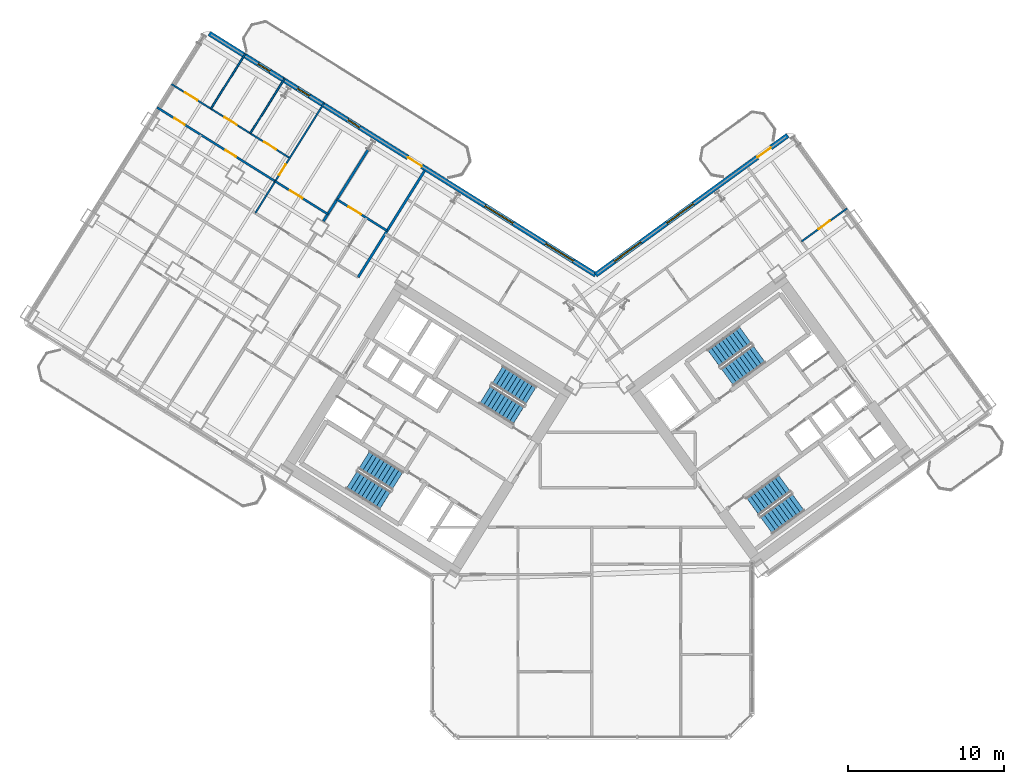
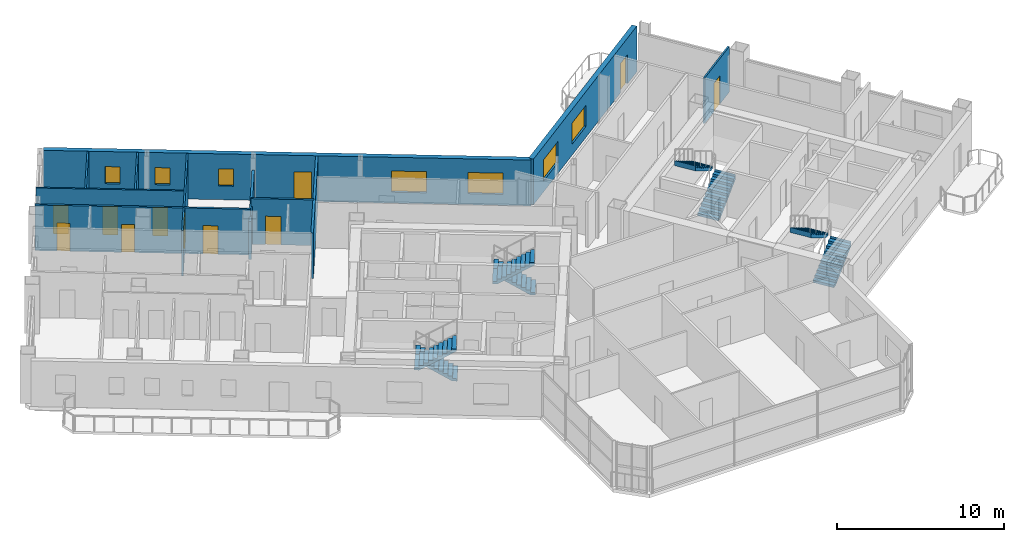
# One storey, part 16 of 21: 12 walls, 11 doors, 8 stair flights, 7 windows, 18 openings, 4 elements without a shape of their own.
"""IFC4 building model written with IfcOpenShell, lengths in metres."""

from ifc_helpers import new_model, si_unit, direction, frame, frame_2d, origin, place, context, subcontext, project, spatial, polyline, rectangle, outline, extrude, source, transform, mapped, material, layer, layer_set, type_object, element, fill, aggregate, save


model = new_model("IFC4")

# Units and contexts
model_context = context("Model", 3, precision=1e-05, world=origin(), true_north=direction((0.0, 1.0)))
body_context = subcontext(model_context, "Body", "Model", "MODEL_VIEW")
ifc_project = project(units=[si_unit("LENGTHUNIT", "METRE"), si_unit("AREAUNIT", "SQUARE_METRE"), si_unit("VOLUMEUNIT", "CUBIC_METRE"), si_unit("PLANEANGLEUNIT", "RADIAN"), si_unit("MASSUNIT", "GRAM", prefix="KILO")], contexts=[model_context])

# Site, building, storey
site_placement = place(None, origin())
site = spatial("IfcSite", under=ifc_project, at=site_placement, CompositionType="ELEMENT")
building_placement = place(site_placement, origin())
building = spatial("IfcBuilding", under=site, at=building_placement, Name="Tlacorven Tower", CompositionType="ELEMENT")
storey_placement = place(building_placement, frame((0.0, 0.0, 90.0)))
storey = spatial("IfcBuildingStorey", under=building, at=storey_placement, Name="L22", CompositionType="ELEMENT", Elevation=90.0)

# Walls
ifc_material_1 = material(Name="Gypsum plasterboard acoustic partition", Category="gypsum")
ifc_layer_1 = layer(ifc_material_1, 0.159912109375)
ifc_layer_set_1 = layer_set([ifc_layer_1], Name="Gypsum plasterboard acoustic partition")
wall_type_1 = type_object("IfcWallType", Name="WL-DEM-160", PredefinedType="PARTITIONING", material=ifc_layer_set_1)
wall_1_placement = place(storey_placement, frame((31.238525390625, 38.27392578125, 0.0), z_axis=(0.0, 0.0, 1.0), x_axis=(-0.529928058306, -0.848042600947, 0.0)))
element("IfcWall", 1, at=wall_1_placement, inside=storey, type_object=wall_type_1, Name="L22 partition 51", PredefinedType="PARTITIONING", context=body_context, shape_type="SweptSolid", body=[
    extrude(rectangle(XDim=8.0498046875, YDim=0.159912109375, at=frame_2d((4.02490234375, 0.0))), origin(), (0.0, 0.0, 1.0), 3.340087890625),
])
wall_2_placement = place(storey_placement, frame((27.607421875, 39.614990234375, 0.0), z_axis=(0.0, 0.0, 1.0), x_axis=(-0.529913610495, -0.848051628978, 0.0)))
element("IfcWall", 2, at=wall_2_placement, inside=storey, type_object=wall_type_1, Name="L22 WS Demising Wall 1", PredefinedType="PARTITIONING", context=body_context, shape_type="SweptSolid", body=[
    extrude(rectangle(XDim=5.40087890625, YDim=0.159912109375, at=frame_2d((2.700439453125, 0.0))), origin(), (0.0, 0.0, 1.0), 2.77490234375),
])

# Wall, openings, door, windows
ifc_material_2 = material(Name="Precast concrete C45/55", Category="concrete")
ifc_layer_2 = layer(ifc_material_2, 0.320068359375)
ifc_layer_set_2 = layer_set([ifc_layer_2], Name="Precast concrete C45/55")
wall_type_2 = type_object("IfcWallType", Name="WL-EXT-320", PredefinedType="STANDARD", material=ifc_layer_set_2)
wall_3_placement = place(storey_placement, frame((17.423828125, 47.083251953125, 0.0), z_axis=(0.0, 0.0, 1.0), x_axis=(0.848049927979, -0.529916332693, 0.0)))
wall_3 = element("IfcWall", 3, at=wall_3_placement, inside=storey, type_object=wall_type_2, Name="L22 Masonry-Frame Recessed Facade Wall 3", PredefinedType="STANDARD", context=body_context, shape_type="SweptSolid", body=[
    extrude(rectangle(XDim=29.22314453125, YDim=0.320068359375, at=frame_2d((14.611572265625, 0.0))), origin(), (0.0, 0.0, 1.0), 3.35009765625),
])
opening_1_placement = place(wall_3_placement, frame((15.020263671875, 0.0, 0.0)))
opening_1 = element("IfcOpeningElement", 4, at=opening_1_placement, cuts=wall_3, Name="Opening D06", PredefinedType="OPENING", context=body_context, shape_type="SweptSolid", body=[
    extrude(rectangle(XDim=1.050048828125, YDim=2.14990234375, at=frame_2d((0.52490234375, 1.074951171875))), frame((0.0, 0.169921875, 0.0), z_axis=(0.0, -1.0, 0.0), x_axis=(1.0, 0.0, 0.0)), (0.0, 0.0, 1.0), 0.340087890625),
])
opening_2_placement = place(wall_3_placement, frame((20.869140625, 0.0, 0.800048828125)))
opening_2 = element("IfcOpeningElement", 5, at=opening_2_placement, cuts=wall_3, Name="Opening WN04", PredefinedType="OPENING", context=body_context, shape_type="SweptSolid", body=[
    extrude(rectangle(XDim=2.10009765625, YDim=1.550048828125, at=frame_2d((1.050048828125, 0.77490234375))), frame((0.0, 0.169921875, 0.0), z_axis=(0.0, -1.0, 0.0), x_axis=(1.0, 0.0, 0.0)), (0.0, 0.0, 1.0), 0.340087890625),
])
opening_3_placement = place(wall_3_placement, frame((25.4384765625, 0.0, 0.800048828125)))
opening_3 = element("IfcOpeningElement", 6, at=opening_3_placement, cuts=wall_3, Name="Opening WN04", PredefinedType="OPENING", context=body_context, shape_type="SweptSolid", body=[
    extrude(rectangle(XDim=2.10009765625, YDim=1.550048828125, at=frame_2d((1.050048828125, 0.77490234375))), frame((0.0, 0.169921875, 0.0), z_axis=(0.0, -1.0, 0.0), x_axis=(1.0, 0.0, 0.0)), (0.0, 0.0, 1.0), 0.340087890625),
])
opening_4_placement = place(wall_3_placement, frame((10.481201171875, 0.0, 1.0)))
opening_4 = element("IfcOpeningElement", 7, at=opening_4_placement, cuts=wall_3, Name="Opening WN05", PredefinedType="OPENING", context=body_context, shape_type="SweptSolid", body=[
    extrude(rectangle(XDim=0.89990234375, YDim=1.25, at=frame_2d((0.449951171875, 0.625))), frame((0.0, 0.169921875, 0.0), z_axis=(0.0, -1.0, 0.0), x_axis=(1.0, 0.0, 0.0)), (0.0, 0.0, 1.0), 0.340087890625),
])
opening_5_placement = place(wall_3_placement, frame((6.673583984375, 0.0, 1.0)))
opening_5 = element("IfcOpeningElement", 8, at=opening_5_placement, cuts=wall_3, Name="Opening WN05", PredefinedType="OPENING", context=body_context, shape_type="SweptSolid", body=[
    extrude(rectangle(XDim=0.89990234375, YDim=1.25, at=frame_2d((0.449951171875, 0.625))), frame((0.0, 0.169921875, 0.0), z_axis=(0.0, -1.0, 0.0), x_axis=(1.0, 0.0, 0.0)), (0.0, 0.0, 1.0), 0.340087890625),
])
opening_6_placement = place(wall_3_placement, frame((3.693603515625, 0.0, 1.0)))
opening_6 = element("IfcOpeningElement", 9, at=opening_6_placement, cuts=wall_3, Name="Opening WN05", PredefinedType="OPENING", context=body_context, shape_type="SweptSolid", body=[
    extrude(rectangle(XDim=0.89990234375, YDim=1.25, at=frame_2d((0.449951171875, 0.625))), frame((0.0, 0.169921875, 0.0), z_axis=(0.0, -1.0, 0.0), x_axis=(1.0, 0.0, 0.0)), (0.0, 0.0, 1.0), 0.340087890625),
])
ifc_material_3 = material(Name="Powder-coated aluminium and timber door", Category="wood")
door_type_1 = type_object("IfcDoorType", Name="DR-EXT-BALC-1050", OperationType="NOTDEFINED", PredefinedType="DOOR", material=ifc_material_3)
shared_shape_1 = source(origin(), body_context, "Body", "SweptSolid", [
    extrude(rectangle(XDim=1.050048828125, YDim=2.14990234375, at=frame_2d((0.52490234375, 1.074951171875))), frame((0.0, 0.02490234375, 0.0), z_axis=(0.0, -1.0, 0.0), x_axis=(1.0, 0.0, 0.0)), (0.0, 0.0, 1.0), 0.050048828125),
])
door_1_placement = place(opening_1_placement, origin())
door_1 = element("IfcDoor", 10, at=door_1_placement, inside=storey, type_object=door_type_1, Name="L22 Outdoor Access Door BAL-L22-W-IN", OperationType="SINGLE_SWING_RIGHT", OverallHeight=2.14990234375, OverallWidth=1.050048828125, PredefinedType="DOOR", context=body_context, shape_type="MappedRepresentation", body=[
    mapped(shared_shape_1, transform((0.0, 0.0, 0.0), scale=1.0)),
])
fill(opening_1, door_1)
ifc_material_4 = material(Name="Dark solar low-E double glazing in anodised aluminium frame", Category="aluminium")
window_type_1 = type_object("IfcWindowType", Name="WN-APT-2100X1750", PartitioningType="SINGLE_PANEL", PredefinedType="WINDOW", material=ifc_material_4)
shared_shape_2 = source(origin(), body_context, "Body", "SweptSolid", [
    extrude(rectangle(XDim=2.10009765625, YDim=1.550048828125, at=frame_2d((1.050048828125, 0.77490234375))), frame((0.0, 0.030029296875, 0.0), z_axis=(0.0, -1.0, 0.0), x_axis=(1.0, 0.0, 0.0)), (0.0, 0.0, 1.0), 0.06005859375),
])
window_1_placement = place(opening_2_placement, origin())
window_1 = element("IfcWindow", 11, at=window_1_placement, inside=storey, type_object=window_type_1, Name="L22 Recessed Masonry-Frame Window L22-03.1", OverallHeight=1.550048828125, OverallWidth=2.10009765625, PartitioningType="SINGLE_PANEL", PredefinedType="WINDOW", context=body_context, shape_type="MappedRepresentation", body=[
    mapped(shared_shape_2, transform((0.0, 0.0, 0.0), scale=1.0)),
])
fill(opening_2, window_1)
window_2_placement = place(opening_3_placement, origin())
window_2 = element("IfcWindow", 12, at=window_2_placement, inside=storey, type_object=window_type_1, Name="L22 Recessed Masonry-Frame Window L22-03.2", OverallHeight=1.550048828125, OverallWidth=2.10009765625, PartitioningType="SINGLE_PANEL", PredefinedType="WINDOW", context=body_context, shape_type="MappedRepresentation", body=[
    mapped(shared_shape_2, transform((0.0, 0.0, 0.0), scale=1.0)),
])
fill(opening_3, window_2)
window_type_2 = type_object("IfcWindowType", Name="WN-APT-0900X1350", PartitioningType="SINGLE_PANEL", PredefinedType="WINDOW", material=ifc_material_4)
shared_shape_3 = source(origin(), body_context, "Body", "SweptSolid", [
    extrude(rectangle(XDim=0.89990234375, YDim=1.25, at=frame_2d((0.449951171875, 0.625))), frame((0.0, 0.030029296875, 0.0), z_axis=(0.0, -1.0, 0.0), x_axis=(1.0, 0.0, 0.0)), (0.0, 0.0, 1.0), 0.06005859375),
])
window_3_placement = place(opening_4_placement, origin())
window_3 = element("IfcWindow", 13, at=window_3_placement, inside=storey, type_object=window_type_2, Name="L22 Dwelling Daylight Window L22-U04-LIV", OverallHeight=1.25, OverallWidth=0.89990234375, PartitioningType="SINGLE_PANEL", PredefinedType="WINDOW", context=body_context, shape_type="MappedRepresentation", body=[
    mapped(shared_shape_3, transform((0.0, 0.0, 0.0), scale=1.0)),
])
fill(opening_4, window_3)
window_4_placement = place(opening_5_placement, origin())
window_4 = element("IfcWindow", 14, at=window_4_placement, inside=storey, type_object=window_type_2, Name="L22 Dwelling Daylight Window L22-U04-BD1", OverallHeight=1.25, OverallWidth=0.89990234375, PartitioningType="SINGLE_PANEL", PredefinedType="WINDOW", context=body_context, shape_type="MappedRepresentation", body=[
    mapped(shared_shape_3, transform((0.0, 0.0, 0.0), scale=1.0)),
])
fill(opening_5, window_4)
window_5_placement = place(opening_6_placement, origin())
window_5 = element("IfcWindow", 15, at=window_5_placement, inside=storey, type_object=window_type_2, Name="L22 Dwelling Daylight Window L22-U04-BD2", OverallHeight=1.25, OverallWidth=0.89990234375, PartitioningType="SINGLE_PANEL", PredefinedType="WINDOW", context=body_context, shape_type="MappedRepresentation", body=[
    mapped(shared_shape_3, transform((0.0, 0.0, 0.0), scale=1.0)),
])
fill(opening_6, window_5)

wall_4_placement = place(storey_placement, frame((42.20654296875, 31.597412109375, 0.0), z_axis=(0.0, 0.0, 1.0), x_axis=(0.809020333377, 0.587780656523, 0.0)))
wall_4 = element("IfcWall", 16, at=wall_4_placement, inside=storey, type_object=wall_type_2, Name="L22 Masonry-Frame Recessed Facade Wall 4", PredefinedType="STANDARD", context=body_context, shape_type="SweptSolid", body=[
    extrude(rectangle(XDim=15.222900390625, YDim=0.320068359375, at=frame_2d((7.611328125, 0.0))), origin(), (0.0, 0.0, 1.0), 3.35009765625),
])
opening_7_placement = place(wall_4_placement, frame((12.830810546875, 0.0, 0.0)))
opening_7 = element("IfcOpeningElement", 17, at=opening_7_placement, cuts=wall_4, Name="Opening D06", PredefinedType="OPENING", context=body_context, shape_type="SweptSolid", body=[
    extrude(rectangle(XDim=1.050048828125, YDim=2.14990234375, at=frame_2d((0.52490234375, 1.074951171875))), frame((0.0, 0.169921875, 0.0), z_axis=(0.0, -1.0, 0.0), x_axis=(1.0, 0.0, 0.0)), (0.0, 0.0, 1.0), 0.340087890625),
])
opening_8_placement = place(wall_4_placement, frame((1.48388671875, 0.0, 0.800048828125)))
opening_8 = element("IfcOpeningElement", 18, at=opening_8_placement, cuts=wall_4, Name="Opening WN04", PredefinedType="OPENING", context=body_context, shape_type="SweptSolid", body=[
    extrude(rectangle(XDim=2.10009765625, YDim=1.550048828125, at=frame_2d((1.050048828125, 0.77490234375))), frame((0.0, 0.169921875, 0.0), z_axis=(0.0, -1.0, 0.0), x_axis=(1.0, 0.0, 0.0)), (0.0, 0.0, 1.0), 0.340087890625),
])
opening_9_placement = place(wall_4_placement, frame((5.652099609375, 0.0, 0.800048828125)))
opening_9 = element("IfcOpeningElement", 19, at=opening_9_placement, cuts=wall_4, Name="Opening WN04", PredefinedType="OPENING", context=body_context, shape_type="SweptSolid", body=[
    extrude(rectangle(XDim=2.10009765625, YDim=1.550048828125, at=frame_2d((1.050048828125, 0.77490234375))), frame((0.0, 0.169921875, 0.0), z_axis=(0.0, -1.0, 0.0), x_axis=(1.0, 0.0, 0.0)), (0.0, 0.0, 1.0), 0.340087890625),
])
door_2_placement = place(opening_7_placement, origin())
door_2 = element("IfcDoor", 20, at=door_2_placement, inside=storey, type_object=door_type_1, Name="L22 Outdoor Access Door BAL-L22-E-IN", OperationType="SINGLE_SWING_RIGHT", OverallHeight=2.14990234375, OverallWidth=1.050048828125, PredefinedType="DOOR", context=body_context, shape_type="MappedRepresentation", body=[
    mapped(shared_shape_1, transform((0.0, 0.0, 0.0), scale=1.0)),
])
fill(opening_7, door_2)
window_6_placement = place(opening_8_placement, origin())
window_6 = element("IfcWindow", 21, at=window_6_placement, inside=storey, type_object=window_type_1, Name="L22 Recessed Masonry-Frame Window L22-04.1", OverallHeight=1.550048828125, OverallWidth=2.10009765625, PartitioningType="SINGLE_PANEL", PredefinedType="WINDOW", context=body_context, shape_type="MappedRepresentation", body=[
    mapped(shared_shape_2, transform((0.0, 0.0, 0.0), scale=1.0)),
])
fill(opening_8, window_6)
window_7_placement = place(opening_9_placement, origin())
window_7 = element("IfcWindow", 22, at=window_7_placement, inside=storey, type_object=window_type_1, Name="L22 Recessed Masonry-Frame Window L22-04.2", OverallHeight=1.550048828125, OverallWidth=2.10009765625, PartitioningType="SINGLE_PANEL", PredefinedType="WINDOW", context=body_context, shape_type="MappedRepresentation", body=[
    mapped(shared_shape_2, transform((0.0, 0.0, 0.0), scale=1.0)),
])
fill(opening_9, window_7)

# Wall, opening, door
ifc_material_5 = material(Name="Gypsum plasterboard partition", Category="gypsum")
ifc_layer_3 = layer(ifc_material_5, 0.110107421875)
ifc_layer_set_3 = layer_set([ifc_layer_3], Name="Gypsum plasterboard partition")
wall_type_3 = type_object("IfcWallType", Name="WL-INT-110", PredefinedType="PARTITIONING", material=ifc_layer_set_3)
wall_5_placement = place(storey_placement, frame((24.792236328125, 42.620361328125, 0.0), z_axis=(0.0, 0.0, 1.0), x_axis=(-0.529925083182, -0.848044460046, 0.0)))
wall_5 = element("IfcWall", 23, at=wall_5_placement, inside=storey, type_object=wall_type_3, Name="L22 partition 71", PredefinedType="PARTITIONING", context=body_context, shape_type="SweptSolid", body=[
    extrude(rectangle(XDim=8.31982421875, YDim=0.110107421875, at=frame_2d((4.159912109375, 0.0))), origin(), (0.0, 0.0, 1.0), 3.340087890625),
])
opening_10_placement = place(wall_5_placement, frame((4.64990234375, 0.0, 0.0)))
opening_10 = element("IfcOpeningElement", 24, at=opening_10_placement, cuts=wall_5, Name="Opening D22", PredefinedType="OPENING", context=body_context, shape_type="SweptSolid", body=[
    extrude(rectangle(XDim=0.780029296875, YDim=2.050048828125, at=frame_2d((0.39013671875, 1.02490234375))), frame((0.0, 0.06494140625, 0.0), z_axis=(0.0, -1.0, 0.0), x_axis=(1.0, 0.0, 0.0)), (0.0, 0.0, 1.0), 0.130126953125),
])
door_type_2 = type_object("IfcDoorType", Name="DR-INT-WET-0780", OperationType="NOTDEFINED", PredefinedType="DOOR", material=ifc_material_3)
shared_shape_4 = source(origin(), body_context, "Body", "SweptSolid", [
    extrude(rectangle(XDim=0.780029296875, YDim=2.050048828125, at=frame_2d((0.39013671875, 1.02490234375))), frame((0.0, 0.02490234375, 0.0), z_axis=(0.0, -1.0, 0.0), x_axis=(1.0, 0.0, 0.0)), (0.0, 0.0, 1.0), 0.050048828125),
])
door_3_placement = place(opening_10_placement, origin())
door_3 = element("IfcDoor", 25, at=door_3_placement, inside=storey, type_object=door_type_2, Name="L22 door 042", OperationType="SINGLE_SWING_RIGHT", OverallHeight=2.050048828125, OverallWidth=0.780029296875, PredefinedType="DOOR", context=body_context, shape_type="MappedRepresentation", body=[
    mapped(shared_shape_4, transform((0.0, 0.0, 0.0), scale=1.0)),
])
fill(opening_10, door_3)

# Wall, openings, doors
wall_6_placement = place(storey_placement, frame((22.587890625, 39.092529296875, 0.0), z_axis=(0.0, 0.0, 1.0), x_axis=(-0.848044326704, 0.52992529657, 0.0)))
wall_6 = element("IfcWall", 26, at=wall_6_placement, inside=storey, type_object=wall_type_3, Name="L22 partition 76", PredefinedType="PARTITIONING", context=body_context, shape_type="SweptSolid", body=[
    extrude(rectangle(XDim=8.93994140625, YDim=0.110107421875, at=frame_2d((4.469970703125, 0.0))), origin(), (0.0, 0.0, 1.0), 3.340087890625),
])
opening_11_placement = place(wall_6_placement, frame((1.030029296875, 0.0, 0.0)))
opening_11 = element("IfcOpeningElement", 27, at=opening_11_placement, cuts=wall_6, Name="Opening D12", PredefinedType="OPENING", context=body_context, shape_type="SweptSolid", body=[
    extrude(rectangle(XDim=0.919921875, YDim=2.080078125, at=frame_2d((0.4599609375, 1.0400390625))), frame((0.0, 0.06494140625, 0.0), z_axis=(0.0, -1.0, 0.0), x_axis=(1.0, 0.0, 0.0)), (0.0, 0.0, 1.0), 0.130126953125),
])
opening_12_placement = place(wall_6_placement, frame((4.010009765625, 0.0, 0.0)))
opening_12 = element("IfcOpeningElement", 28, at=opening_12_placement, cuts=wall_6, Name="Opening D12", PredefinedType="OPENING", context=body_context, shape_type="SweptSolid", body=[
    extrude(rectangle(XDim=0.919921875, YDim=2.080078125, at=frame_2d((0.4599609375, 1.0400390625))), frame((0.0, 0.06494140625, 0.0), z_axis=(0.0, -1.0, 0.0), x_axis=(1.0, 0.0, 0.0)), (0.0, 0.0, 1.0), 0.130126953125),
])
opening_13_placement = place(wall_6_placement, frame((6.989990234375, 0.0, 0.0)))
opening_13 = element("IfcOpeningElement", 29, at=opening_13_placement, cuts=wall_6, Name="Opening D12", PredefinedType="OPENING", context=body_context, shape_type="SweptSolid", body=[
    extrude(rectangle(XDim=0.919921875, YDim=2.080078125, at=frame_2d((0.4599609375, 1.0400390625))), frame((0.0, 0.06494140625, 0.0), z_axis=(0.0, -1.0, 0.0), x_axis=(1.0, 0.0, 0.0)), (0.0, 0.0, 1.0), 0.130126953125),
])
door_type_3 = type_object("IfcDoorType", Name="DR-INT-ROOM-0920", OperationType="NOTDEFINED", PredefinedType="DOOR", material=ifc_material_3)
shared_shape_5 = source(origin(), body_context, "Body", "SweptSolid", [
    extrude(rectangle(XDim=0.919921875, YDim=2.080078125, at=frame_2d((0.4599609375, 1.0400390625))), frame((0.0, 0.02490234375, 0.0), z_axis=(0.0, -1.0, 0.0), x_axis=(1.0, 0.0, 0.0)), (0.0, 0.0, 1.0), 0.050048828125),
])
door_4_placement = place(opening_11_placement, origin())
door_4 = element("IfcDoor", 30, at=door_4_placement, inside=storey, type_object=door_type_3, Name="L22 door 045", OperationType="SINGLE_SWING_LEFT", OverallHeight=2.080078125, OverallWidth=0.919921875, PredefinedType="DOOR", context=body_context, shape_type="MappedRepresentation", body=[
    mapped(shared_shape_5, transform((0.0, 0.0, 0.0), scale=1.0)),
])
fill(opening_11, door_4)
door_5_placement = place(opening_12_placement, origin())
door_5 = element("IfcDoor", 31, at=door_5_placement, inside=storey, type_object=door_type_3, Name="L22 door 046", OperationType="SINGLE_SWING_RIGHT", OverallHeight=2.080078125, OverallWidth=0.919921875, PredefinedType="DOOR", context=body_context, shape_type="MappedRepresentation", body=[
    mapped(shared_shape_5, transform((0.0, 0.0, 0.0), scale=1.0)),
])
fill(opening_12, door_5)
door_6_placement = place(opening_13_placement, origin())
door_6 = element("IfcDoor", 32, at=door_6_placement, inside=storey, type_object=door_type_3, Name="L22 door 047", OperationType="SINGLE_SWING_LEFT", OverallHeight=2.080078125, OverallWidth=0.919921875, PredefinedType="DOOR", context=body_context, shape_type="MappedRepresentation", body=[
    mapped(shared_shape_5, transform((0.0, 0.0, 0.0), scale=1.0)),
])
fill(opening_13, door_6)

# Walls
wall_7_placement = place(storey_placement, frame((22.26513671875, 44.199462890625, 0.0), z_axis=(0.0, 0.0, 1.0), x_axis=(-0.529946186362, -0.848031272749, 0.0)))
element("IfcWall", 33, at=wall_7_placement, inside=storey, type_object=wall_type_3, Name="L22 partition 77", PredefinedType="PARTITIONING", context=body_context, shape_type="SweptSolid", body=[
    extrude(rectangle(XDim=4.159912109375, YDim=0.110107421875, at=frame_2d((2.080078125, 0.0))), origin(), (0.0, 0.0, 1.0), 3.340087890625),
])
wall_8_placement = place(storey_placement, frame((19.73779296875, 45.77880859375, 0.0), z_axis=(0.0, 0.0, 1.0), x_axis=(-0.529877605827, -0.848074125795, 0.0)))
element("IfcWall", 34, at=wall_8_placement, inside=storey, type_object=wall_type_3, Name="L22 partition 78", PredefinedType="PARTITIONING", context=body_context, shape_type="SweptSolid", body=[
    extrude(rectangle(XDim=4.16015625, YDim=0.110107421875, at=frame_2d((2.080078125, 0.0))), origin(), (0.0, 0.0, 1.0), 3.340087890625),
])

# Wall, opening, door
wall_9_placement = place(storey_placement, frame((55.40869140625, 33.73828125, 0.0), z_axis=(0.0, 0.0, 1.0), x_axis=(0.809005039917, 0.58780170584, 0.0)))
wall_9 = element("IfcWall", 35, at=wall_9_placement, inside=storey, type_object=wall_type_3, Name="L22 partition 107", PredefinedType="PARTITIONING", context=body_context, shape_type="SweptSolid", body=[
    extrude(rectangle(XDim=3.610107421875, YDim=0.110107421875, at=frame_2d((1.80517578125, 0.0))), origin(), (0.0, 0.0, 1.0), 3.340087890625),
])
opening_14_placement = place(wall_9_placement, frame((1.344970703125, 0.0, 0.0)))
opening_14 = element("IfcOpeningElement", 36, at=opening_14_placement, cuts=wall_9, Name="Opening D12", PredefinedType="OPENING", context=body_context, shape_type="SweptSolid", body=[
    extrude(rectangle(XDim=0.919921875, YDim=2.080078125, at=frame_2d((0.4599609375, 1.0400390625))), frame((0.0, 0.06494140625, 0.0), z_axis=(0.0, -1.0, 0.0), x_axis=(1.0, 0.0, 0.0)), (0.0, 0.0, 1.0), 0.130126953125),
])
door_7_placement = place(opening_14_placement, origin())
door_7 = element("IfcDoor", 37, at=door_7_placement, inside=storey, type_object=door_type_3, Name="L22 door 067", OperationType="SINGLE_SWING_LEFT", OverallHeight=2.080078125, OverallWidth=0.919921875, PredefinedType="DOOR", context=body_context, shape_type="MappedRepresentation", body=[
    mapped(shared_shape_5, transform((0.0, 0.0, 0.0), scale=1.0)),
])
fill(opening_14, door_7)

ifc_material_6 = material(Name="Moisture-resistant gypsum plumbing wall", Category="gypsum")
ifc_layer_4 = layer(ifc_material_6, 0.139892578125)
ifc_layer_set_4 = layer_set([ifc_layer_4], Name="Moisture-resistant gypsum plumbing wall")
wall_type_4 = type_object("IfcWallType", Name="WL-PLM-140", PredefinedType="PLUMBINGWALL", material=ifc_layer_set_4)
wall_10_placement = place(storey_placement, frame((28.832763671875, 34.423828125, 0.0), z_axis=(0.0, 0.0, 1.0), x_axis=(-0.848059820872, 0.529900500304, 0.0)))
wall_10 = element("IfcWall", 38, at=wall_10_placement, inside=storey, type_object=wall_type_4, Name="L22 partition 69", PredefinedType="PLUMBINGWALL", context=body_context, shape_type="SweptSolid", body=[
    extrude(rectangle(XDim=3.7900390625, YDim=0.139892578125, at=frame_2d((1.89501953125, 0.0))), origin(), (0.0, 0.0, 1.0), 3.340087890625),
])
opening_15_placement = place(wall_10_placement, frame((1.989990234375, 0.0, 0.0)))
opening_15 = element("IfcOpeningElement", 39, at=opening_15_placement, cuts=wall_10, Name="Opening D12", PredefinedType="OPENING", context=body_context, shape_type="SweptSolid", body=[
    extrude(rectangle(XDim=0.919921875, YDim=2.080078125, at=frame_2d((0.4599609375, 1.0400390625))), frame((0.0, 0.080078125, 0.0), z_axis=(0.0, -1.0, 0.0), x_axis=(1.0, 0.0, 0.0)), (0.0, 0.0, 1.0), 0.159912109375),
])
door_8_placement = place(opening_15_placement, origin())
door_8 = element("IfcDoor", 40, at=door_8_placement, inside=storey, type_object=door_type_3, Name="L22 door 037", OperationType="SINGLE_SWING_LEFT", OverallHeight=2.080078125, OverallWidth=0.919921875, PredefinedType="DOOR", context=body_context, shape_type="MappedRepresentation", body=[
    mapped(shared_shape_5, transform((0.0, 0.0, 0.0), scale=1.0)),
])
fill(opening_15, door_8)

wall_11_placement = place(storey_placement, frame((25.0302734375, 35.490966796875, 0.0), z_axis=(0.0, 0.0, 1.0), x_axis=(-0.848070667369, 0.52988314103, 0.0)))
wall_11 = element("IfcWall", 41, at=wall_11_placement, inside=storey, type_object=wall_type_4, Name="L22 partition 73", PredefinedType="PLUMBINGWALL", context=body_context, shape_type="SweptSolid", body=[
    extrude(rectangle(XDim=3.97998046875, YDim=0.139892578125, at=frame_2d((1.989990234375, 0.0))), origin(), (0.0, 0.0, 1.0), 3.340087890625),
])
opening_16_placement = place(wall_11_placement, frame((1.929931640625, 0.0, 0.0)))
opening_16 = element("IfcOpeningElement", 42, at=opening_16_placement, cuts=wall_11, Name="Opening D12", PredefinedType="OPENING", context=body_context, shape_type="SweptSolid", body=[
    extrude(rectangle(XDim=0.919921875, YDim=2.080078125, at=frame_2d((0.4599609375, 1.0400390625))), frame((0.0, 0.080078125, 0.0), z_axis=(0.0, -1.0, 0.0), x_axis=(1.0, 0.0, 0.0)), (0.0, 0.0, 1.0), 0.159912109375),
])
door_9_placement = place(opening_16_placement, origin())
door_9 = element("IfcDoor", 43, at=door_9_placement, inside=storey, type_object=door_type_3, Name="L22 door 041", OperationType="SINGLE_SWING_LEFT", OverallHeight=2.080078125, OverallWidth=0.919921875, PredefinedType="DOOR", context=body_context, shape_type="MappedRepresentation", body=[
    mapped(shared_shape_5, transform((0.0, 0.0, 0.0), scale=1.0)),
])
fill(opening_16, door_9)

# Wall, openings, doors
wall_12_placement = place(storey_placement, frame((21.655029296875, 37.599853515625, 0.0), z_axis=(0.0, 0.0, 1.0), x_axis=(-0.848044326704, 0.52992529657, 0.0)))
wall_12 = element("IfcWall", 44, at=wall_12_placement, inside=storey, type_object=wall_type_4, Name="L22 partition 74", PredefinedType="PLUMBINGWALL", context=body_context, shape_type="SweptSolid", body=[
    extrude(rectangle(XDim=8.93994140625, YDim=0.139892578125, at=frame_2d((4.469970703125, 0.0))), origin(), (0.0, 0.0, 1.0), 3.340087890625),
])
opening_17_placement = place(wall_12_placement, frame((2.972412109375, 0.0, 0.0)))
opening_17 = element("IfcOpeningElement", 45, at=opening_17_placement, cuts=wall_12, Name="Opening D22", PredefinedType="OPENING", context=body_context, shape_type="SweptSolid", body=[
    extrude(rectangle(XDim=0.780029296875, YDim=2.050048828125, at=frame_2d((0.39013671875, 1.02490234375))), frame((0.0, 0.080078125, 0.0), z_axis=(0.0, -1.0, 0.0), x_axis=(1.0, 0.0, 0.0)), (0.0, 0.0, 1.0), 0.159912109375),
])
opening_18_placement = place(wall_12_placement, frame((6.842529296875, 0.0, 0.0)))
opening_18 = element("IfcOpeningElement", 46, at=opening_18_placement, cuts=wall_12, Name="Opening D22", PredefinedType="OPENING", context=body_context, shape_type="SweptSolid", body=[
    extrude(rectangle(XDim=0.780029296875, YDim=2.050048828125, at=frame_2d((0.39013671875, 1.02490234375))), frame((0.0, 0.080078125, 0.0), z_axis=(0.0, -1.0, 0.0), x_axis=(1.0, 0.0, 0.0)), (0.0, 0.0, 1.0), 0.159912109375),
])
door_10_placement = place(opening_17_placement, origin())
door_10 = element("IfcDoor", 47, at=door_10_placement, inside=storey, type_object=door_type_2, Name="L22 door 043", OperationType="SINGLE_SWING_RIGHT", OverallHeight=2.050048828125, OverallWidth=0.780029296875, PredefinedType="DOOR", context=body_context, shape_type="MappedRepresentation", body=[
    mapped(shared_shape_4, transform((0.0, 0.0, 0.0), scale=1.0)),
])
fill(opening_17, door_10)
door_11_placement = place(opening_18_placement, origin())
door_11 = element("IfcDoor", 48, at=door_11_placement, inside=storey, type_object=door_type_2, Name="L22 door 044", OperationType="SINGLE_SWING_RIGHT", OverallHeight=2.050048828125, OverallWidth=0.780029296875, PredefinedType="DOOR", context=body_context, shape_type="MappedRepresentation", body=[
    mapped(shared_shape_4, transform((0.0, 0.0, 0.0), scale=1.0)),
])
fill(opening_18, door_11)

# Stair, stair flights
ifc_material_7 = material(Name="Concrete C40/50", Category="concrete")
stair_type = type_object("IfcStairType", Name="ST-CORE-DLG", PredefinedType="HALF_TURN_STAIR", material=ifc_material_7)
stair_1_placement = place(storey_placement, origin())
stair_1 = element("IfcStair", 49, at=stair_1_placement, inside=storey, type_object=stair_type, Name="L22 Protected Exit Stair West 1", PredefinedType="HALF_TURN_STAIR")
stair_flight_type = type_object("IfcStairFlightType", Name="SFL-RC-1380", PredefinedType="STRAIGHT", material=ifc_material_7)
shared_shape_6 = source(origin(), body_context, "Body", "SweptSolid", [
    extrude(outline(polyline([(-0.0029296875, -0.0029296875), (-0.0029296875, 0.179931640625), (0.280029296875, 0.179931640625), (0.280029296875, 0.360107421875), (0.56005859375, 0.360107421875), (0.56005859375, 0.5400390625), (0.840087890625, 0.5400390625), (0.840087890625, 0.719970703125), (1.1201171875, 0.719970703125), (1.1201171875, 0.89990234375), (1.39990234375, 0.89990234375), (1.39990234375, 1.080078125), (1.679931640625, 1.080078125), (1.679931640625, 1.260009765625), (1.9599609375, 1.260009765625), (1.9599609375, 1.43994140625), (2.239990234375, 1.43994140625), (2.239990234375, 1.6201171875), (2.52001953125, 1.6201171875), (2.52001953125, 1.800048828125), (2.52294921875, 1.800048828125), (2.52294921875, 1.429931640625), (2.52001953125, 1.429931640625), (0.295654296875, 0.0), (0.295654296875, -0.0029296875), (-0.0029296875, -0.0029296875)])), frame((0.0, 0.68994140625, 0.0), z_axis=(0.0, -1.0, 0.0), x_axis=(1.0, 0.0, 0.0)), (0.0, 0.0, 1.0), 1.3798828125),
])
stair_flight_1_placement = place(storey_placement, frame((29.499755859375, 18.39453125, 0.0), z_axis=(0.0, 0.0, 1.0), x_axis=(-0.848048096156, 0.529919264233, 0.0)))
stair_flight_1 = element("IfcStairFlight", 50, at=stair_flight_1_placement, type_object=stair_flight_type, Name="ST-W1 flight 1", NumberOfRisers=10, NumberOfTreads=9, PredefinedType="STRAIGHT", RiserHeight=0.18, TreadLength=0.28, context=body_context, shape_type="MappedRepresentation", body=[
    mapped(shared_shape_6, transform((0.0, 0.0, 0.0), scale=1.0)),
])
stair_flight_2_placement = place(storey_placement, frame((26.56787109375, 18.4580078125, 1.800048828125), z_axis=(0.0, 0.0, 1.0), x_axis=(0.848048096156, -0.529919264233, 0.0)))
stair_flight_2 = element("IfcStairFlight", 51, at=stair_flight_2_placement, type_object=stair_flight_type, Name="ST-W1 flight 2", NumberOfRisers=10, NumberOfTreads=9, PredefinedType="STRAIGHT", RiserHeight=0.18, TreadLength=0.28, context=body_context, shape_type="MappedRepresentation", body=[
    mapped(shared_shape_6, transform((0.0, 0.0, 0.0), scale=1.0)),
])
aggregate(stair_1, [stair_flight_1, stair_flight_2])

stair_2_placement = place(storey_placement, origin())
stair_2 = element("IfcStair", 52, at=stair_2_placement, inside=storey, type_object=stair_type, Name="L22 Protected Exit Stair West 2", PredefinedType="HALF_TURN_STAIR")
stair_flight_3_placement = place(storey_placement, frame((38.051513671875, 23.852294921875, 0.0), z_axis=(0.0, 0.0, 1.0), x_axis=(-0.848048096156, 0.529919264233, 0.0)))
stair_flight_3 = element("IfcStairFlight", 53, at=stair_flight_3_placement, type_object=stair_flight_type, Name="ST-W2 flight 1", NumberOfRisers=10, NumberOfTreads=9, PredefinedType="STRAIGHT", RiserHeight=0.18, TreadLength=0.28, context=body_context, shape_type="MappedRepresentation", body=[
    mapped(shared_shape_6, transform((0.0, 0.0, 0.0), scale=1.0)),
])
stair_flight_4_placement = place(storey_placement, frame((35.119384765625, 23.91552734375, 1.800048828125), z_axis=(0.0, 0.0, 1.0), x_axis=(0.848048096156, -0.529919264233, 0.0)))
stair_flight_4 = element("IfcStairFlight", 54, at=stair_flight_4_placement, type_object=stair_flight_type, Name="ST-W2 flight 2", NumberOfRisers=10, NumberOfTreads=9, PredefinedType="STRAIGHT", RiserHeight=0.18, TreadLength=0.28, context=body_context, shape_type="MappedRepresentation", body=[
    mapped(shared_shape_6, transform((0.0, 0.0, 0.0), scale=1.0)),
])
aggregate(stair_2, [stair_flight_3, stair_flight_4])

stair_3_placement = place(storey_placement, origin())
stair_3 = element("IfcStair", 55, at=stair_3_placement, inside=storey, type_object=stair_type, Name="L22 Protected Exit Stair East 1", PredefinedType="HALF_TURN_STAIR")
stair_flight_5_placement = place(storey_placement, frame((50.6533203125, 25.0400390625, 0.0), z_axis=(0.0, 0.0, 1.0), x_axis=(0.809016994375, 0.587785252292, 0.0)))
stair_flight_5 = element("IfcStairFlight", 56, at=stair_flight_5_placement, type_object=stair_flight_type, Name="ST-E1 flight 1", NumberOfRisers=10, NumberOfTreads=9, PredefinedType="STRAIGHT", RiserHeight=0.18, TreadLength=0.28, context=body_context, shape_type="MappedRepresentation", body=[
    mapped(shared_shape_6, transform((0.0, 0.0, 0.0), scale=1.0)),
])
stair_flight_6_placement = place(storey_placement, frame((51.810546875, 27.734619140625, 1.800048828125), z_axis=(0.0, 0.0, 1.0), x_axis=(-0.809016994375, -0.587785252292, 0.0)))
stair_flight_6 = element("IfcStairFlight", 57, at=stair_flight_6_placement, type_object=stair_flight_type, Name="ST-E1 flight 2", NumberOfRisers=10, NumberOfTreads=9, PredefinedType="STRAIGHT", RiserHeight=0.18, TreadLength=0.28, context=body_context, shape_type="MappedRepresentation", body=[
    mapped(shared_shape_6, transform((0.0, 0.0, 0.0), scale=1.0)),
])
aggregate(stair_3, [stair_flight_5, stair_flight_6])

stair_4_placement = place(storey_placement, origin())
stair_4 = element("IfcStair", 58, at=stair_4_placement, inside=storey, type_object=stair_type, Name="L22 Protected Exit Stair East 2", PredefinedType="HALF_TURN_STAIR")
stair_flight_7_placement = place(storey_placement, frame((53.157470703125, 15.536865234375, 0.0), z_axis=(0.0, 0.0, 1.0), x_axis=(0.809016994375, 0.587785252292, 0.0)))
stair_flight_7 = element("IfcStairFlight", 59, at=stair_flight_7_placement, type_object=stair_flight_type, Name="ST-E2 flight 1", NumberOfRisers=10, NumberOfTreads=9, PredefinedType="STRAIGHT", RiserHeight=0.18, TreadLength=0.28, context=body_context, shape_type="MappedRepresentation", body=[
    mapped(shared_shape_6, transform((0.0, 0.0, 0.0), scale=1.0)),
])
stair_flight_8_placement = place(storey_placement, frame((54.314453125, 18.231689453125, 1.800048828125), z_axis=(0.0, 0.0, 1.0), x_axis=(-0.809016994375, -0.587785252292, 0.0)))
stair_flight_8 = element("IfcStairFlight", 60, at=stair_flight_8_placement, type_object=stair_flight_type, Name="ST-E2 flight 2", NumberOfRisers=10, NumberOfTreads=9, PredefinedType="STRAIGHT", RiserHeight=0.18, TreadLength=0.28, context=body_context, shape_type="MappedRepresentation", body=[
    mapped(shared_shape_6, transform((0.0, 0.0, 0.0), scale=1.0)),
])
aggregate(stair_4, [stair_flight_7, stair_flight_8])

save(model, "model.ifc")
